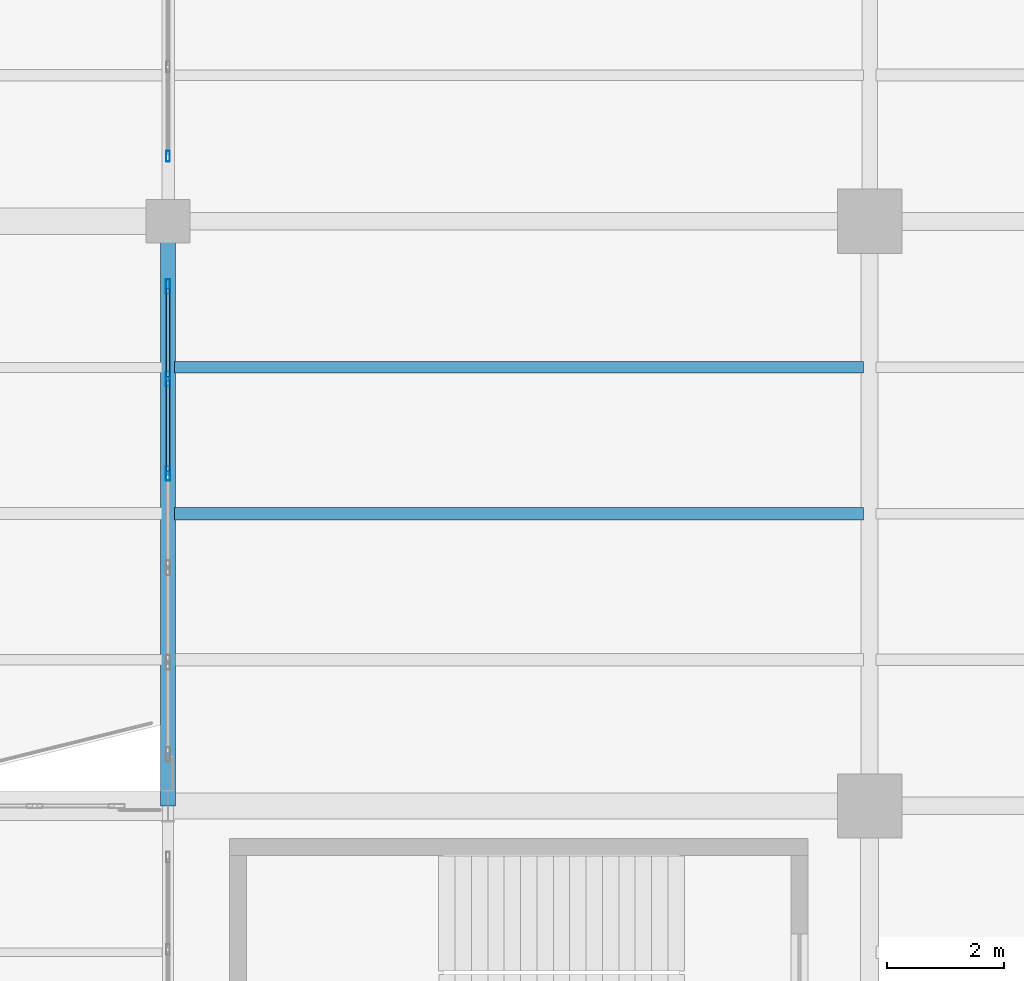
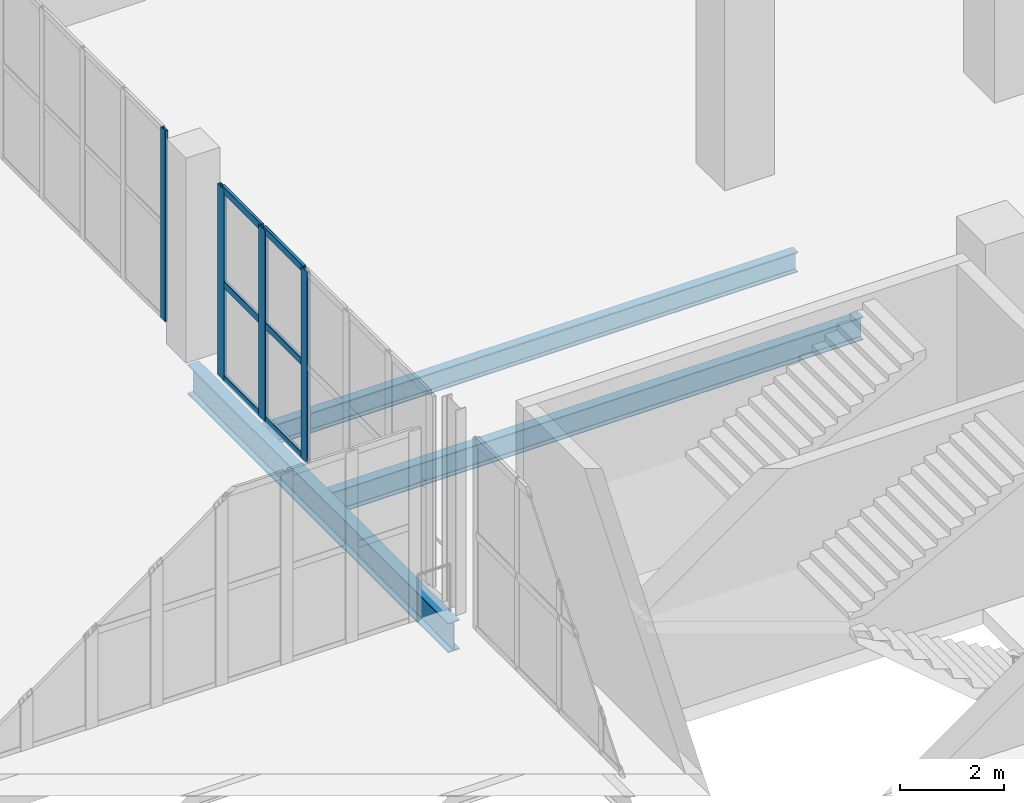
# One storey, part 36 of 136: 10 members, 3 beams, 2 elements without a shape of their own.
"""IFC4 building model written with IfcOpenShell, lengths in metres."""

import ifcopenshell
import ifcopenshell.guid

model = None  # the IFC model being written
_history = None  # IfcOwnerHistory: only IFC2X3 demands one
_inside = {}  # id of a spatial element -> (the spatial element, [elements in it])
_under = {}  # id of a project, library or spatial element -> (it, [spatial elements below it])
_declared = {}  # id of a project -> (the project, [libraries it declares])
_typed = {}  # id of a type object -> (the type object, [elements of that type])
_made_of = {}  # id of a material, layer set ... -> (it, [elements and type objects made of it])


def new_model(schema):
    """Start an empty IFC model of exactly this schema.

    Asked for "IFC4X3", IfcOpenShell would pick the latest addendum, in which some entities
    have other attributes; the version numbers below select the first issue.
    IFC2X3 requires an IfcOwnerHistory on every rooted entity: one is made here for all.
    """
    global model, _history
    if schema == "IFC4X3":
        model = ifcopenshell.file(schema_version=(4, 3, 0, 0))
    else:
        model = ifcopenshell.file(schema=schema)
    _inside.clear()
    _under.clear()
    _declared.clear()
    _typed.clear()
    _made_of.clear()
    _history = None
    if model.schema == "IFC2X3":
        org = make("IfcOrganization", Name="unknown")
        user = make(
            "IfcPersonAndOrganization",
            ThePerson=make("IfcPerson", FamilyName="unknown"),
            TheOrganization=org,
        )
        app = make(
            "IfcApplication",
            ApplicationDeveloper=org,
            Version="unknown",
            ApplicationFullName="unknown",
            ApplicationIdentifier="unknown",
        )
        _history = make(
            "IfcOwnerHistory",
            OwningUser=user,
            OwningApplication=app,
            ChangeAction="ADDED",
            CreationDate=0,
        )
    return model


def make(cls, **values):
    """One entity of the class cls with the attributes given. An attribute that is None is left unset."""
    return model.create_entity(
        cls, **{name: value for name, value in values.items() if value is not None}
    )


def rooted(cls, **values):
    """An entity with a GlobalId (a new one), such as an element, a storey or a relation."""
    return make(cls, GlobalId=ifcopenshell.guid.new(), OwnerHistory=_history, **values)


def si_unit(unit_type, name, prefix=None):
    """IfcSIUnit, for example si_unit("LENGTHUNIT", "METRE", prefix="MILLI")."""
    return make("IfcSIUnit", UnitType=unit_type, Prefix=prefix, Name=name)


def assignment(units):
    """IfcUnitAssignment: the units of a project."""
    return None if units is None else make("IfcUnitAssignment", Units=units)


def point(xyz):
    """IfcCartesianPoint."""
    return None if xyz is None else make("IfcCartesianPoint", Coordinates=xyz)


def direction(xyz):
    """IfcDirection."""
    return None if xyz is None else make("IfcDirection", DirectionRatios=xyz)


def frame(location, z_axis=None, x_axis=None):
    """IfcAxis2Placement3D, a coordinate frame: its origin and axes. An axis left out is left unset."""
    return make(
        "IfcAxis2Placement3D",
        Location=point(location),
        Axis=direction(z_axis),
        RefDirection=direction(x_axis),
    )


def frame_2d(location, x_axis=None):
    """IfcAxis2Placement2D, a coordinate frame in the plane: its origin and x axis."""
    return make(
        "IfcAxis2Placement2D", Location=point(location), RefDirection=direction(x_axis)
    )


def origin():
    """The frame at (0, 0, 0) with its axes left unset."""
    return frame((0.0, 0.0, 0.0))


def origin_2d():
    """The frame at (0, 0) in the plane with its x axis left unset."""
    return frame_2d((0.0, 0.0))


def place(relative_to, where):
    """IfcLocalPlacement: puts the frame where relative to a parent placement (None: the world)."""
    return make(
        "IfcLocalPlacement", PlacementRelTo=relative_to, RelativePlacement=where
    )


def context(
    kind, dimensions, precision=None, world=None, true_north=None, identifier=None
):
    """IfcGeometricRepresentationContext, for example the 3D "Model" context."""
    return make(
        "IfcGeometricRepresentationContext",
        ContextIdentifier=identifier,
        ContextType=kind,
        CoordinateSpaceDimension=dimensions,
        Precision=precision,
        WorldCoordinateSystem=world,
        TrueNorth=true_north,
    )


def subcontext(parent, identifier, kind, view, scale=None):
    """IfcGeometricRepresentationSubContext, for example "Body" below "Model"."""
    return make(
        "IfcGeometricRepresentationSubContext",
        ContextIdentifier=identifier,
        ContextType=kind,
        ParentContext=parent,
        TargetScale=scale,
        TargetView=view,
    )


def project(units=None, contexts=None):
    """IfcProject with its units and contexts."""
    return rooted(
        "IfcProject",
        Name="project",
        RepresentationContexts=contexts,
        UnitsInContext=assignment(units),
    )


def spatial(cls, under=None, at=None, **own):
    """A site, building, storey or space (cls), placed at a placement, below another one or the project."""
    s = rooted(cls, ObjectPlacement=at, **own)
    if under is not None:
        _under.setdefault(under.id(), (under, []))[1].append(s)
    return s


def profile(cls, at=None, kind="AREA", **sizes):
    """A parametric profile (cls). Its sizes go by their IFC names, for example OverallWidth=200.0."""
    return make(cls, ProfileType=kind, Position=at, **sizes)


def hollow_rectangle(**sizes):
    """IfcRectangleHollowProfileDef."""
    return profile("IfcRectangleHollowProfileDef", **sizes)


def i_section(**sizes):
    """IfcIShapeProfileDef."""
    return profile("IfcIShapeProfileDef", **sizes)


def extrude(swept, where, along, depth):
    """IfcExtrudedAreaSolid: the profile swept, set in the frame where, extruded along a direction by depth."""
    return make(
        "IfcExtrudedAreaSolid",
        SweptArea=swept,
        Position=where,
        ExtrudedDirection=direction(along),
        Depth=depth,
    )


def shape(context_of_items, identifier, shape_type, items):
    """IfcShapeRepresentation: the items that make up one representation, for example the "Body"."""
    return make(
        "IfcShapeRepresentation",
        ContextOfItems=context_of_items,
        RepresentationIdentifier=identifier,
        RepresentationType=shape_type,
        Items=items,
    )


def material(Name=None, Category=None):
    """IfcMaterial."""
    return make("IfcMaterial", Name=Name, Category=Category)


def layer(
    of_material, thickness, ventilated=None, Name=None, Category=None, Priority=None
):
    """IfcMaterialLayer: one layer of a wall or slab, of a material (None: an air gap)."""
    return make(
        "IfcMaterialLayer",
        Material=of_material,
        LayerThickness=thickness,
        IsVentilated=ventilated,
        Name=Name,
        Category=Category,
        Priority=Priority,
    )


def layer_set(layers, Name=None):
    """IfcMaterialLayerSet."""
    return make("IfcMaterialLayerSet", MaterialLayers=layers, LayerSetName=Name)


def material_profile(
    of_material, cross_section, Name=None, Category=None, Priority=None
):
    """IfcMaterialProfile: a cross section and its material."""
    return make(
        "IfcMaterialProfile",
        Name=Name,
        Material=of_material,
        Profile=cross_section,
        Priority=Priority,
        Category=Category,
    )


def profile_set(profiles, Name=None, composite=None):
    """IfcMaterialProfileSet."""
    return make(
        "IfcMaterialProfileSet",
        Name=Name,
        MaterialProfiles=profiles,
        CompositeProfile=composite,
    )


def made_of(thing, what):
    """Note that an element or type object is made of a material, layer set ...; save() writes the relation."""
    if what is not None:
        _made_of.setdefault(what.id(), (what, []))[1].append(thing)
    return thing


def type_object(cls, material=None, **own):
    """A type object (cls), such as IfcWallType, which elements share."""
    return made_of(rooted(cls, **own), material)


def element(
    cls,
    number,
    at=None,
    inside=None,
    cuts=None,
    type_object=None,
    material=None,
    context=None,
    identifier="Body",
    shape_type=None,
    held_by="IfcProductDefinitionShape",
    body=None,
    shapes=None,
    **own,
):
    """One element of the class cls, such as IfcWall. Its Tag is "e" and its number.

    at: its placement. inside: the storey or other place that contains it. cuts: it is an
    opening in that element (IfcRelVoidsElement). A single representation is given by context,
    identifier, shape_type and body (its items); several are given by shapes. held_by: the class
    of the entity that holds the representations. save() writes the other relations.
    """
    e = rooted(cls, Tag="e%d" % number, ObjectPlacement=at, **own)
    if body is not None:
        shapes = [shape(context, identifier, shape_type, body)]
    if shapes is not None:
        e.Representation = make(held_by, Representations=shapes)
    if inside is not None:
        _inside.setdefault(inside.id(), (inside, []))[1].append(e)
    if cuts is not None:
        rooted(
            "IfcRelVoidsElement", RelatingBuildingElement=cuts, RelatedOpeningElement=e
        )
    if type_object is not None:
        _typed.setdefault(type_object.id(), (type_object, []))[1].append(e)
    return made_of(e, material)


def aggregate(whole, parts):
    """IfcRelAggregates: a whole, such as a stair, and the parts it consists of."""
    return rooted("IfcRelAggregates", RelatingObject=whole, RelatedObjects=parts)


def save(model, path):
    """Write the relations noted so far, then the file.

    IfcRelAggregates (storeys below a building ...), IfcRelContainedInSpatialStructure (elements
    in a storey), IfcRelDefinesByType, IfcRelAssociatesMaterial and IfcRelDeclares: one each for
    every whole, place, type object, material and project.
    """
    for whole, parts in _under.values():
        aggregate(whole, parts)
    for where, things in _inside.values():
        rooted(
            "IfcRelContainedInSpatialStructure",
            RelatedElements=things,
            RelatingStructure=where,
        )
    for kind, things in _typed.values():
        rooted("IfcRelDefinesByType", RelatedObjects=things, RelatingType=kind)
    for what, things in _made_of.values():
        rooted("IfcRelAssociatesMaterial", RelatedObjects=things, RelatingMaterial=what)
    for by, libraries in _declared.values():
        rooted("IfcRelDeclares", RelatingContext=by, RelatedDefinitions=libraries)
    model.write(path)


model = new_model("IFC4")

# Units and contexts
model_context = context("Model", 3, precision=1e-05, world=origin(), true_north=direction((0.0, 1.0)))
body_context = subcontext(model_context, "Body", "Model", "MODEL_VIEW")
ifc_project = project(units=[si_unit("LENGTHUNIT", "METRE"), si_unit("AREAUNIT", "SQUARE_METRE"), si_unit("VOLUMEUNIT", "CUBIC_METRE"), si_unit("PLANEANGLEUNIT", "RADIAN"), si_unit("MASSUNIT", "GRAM", prefix="KILO")], contexts=[model_context])

# Site, building, storey
site_placement = place(None, origin())
site = spatial("IfcSite", under=ifc_project, at=site_placement, CompositionType="ELEMENT")
building_placement = place(site_placement, origin())
building = spatial("IfcBuilding", under=site, at=building_placement, Name="Brinegate Civic Arena", CompositionType="ELEMENT")
storey_placement = place(building_placement, frame((0.0, 0.0, 5.39990234375)))
storey = spatial("IfcBuildingStorey", under=building, at=storey_placement, Name="L01", CompositionType="ELEMENT", Elevation=5.39990234375)

# Curtain wall, member
ifc_material_1 = material(Name="Marine grade aluminium", Category="aluminium")
ifc_layer = layer(ifc_material_1, 0.199951171875, Name="Marine grade aluminium")
ifc_layer_set = layer_set([ifc_layer], Name="Marine grade aluminium")
curtain_wall_type = type_object("IfcCurtainWallType", Name="CW-BOWL-GLAZED-01", PredefinedType="USERDEFINED", material=ifc_layer_set)
curtain_wall_1_placement = place(storey_placement, origin())
curtain_wall_1 = element("IfcCurtainWall", 1, at=curtain_wall_1_placement, inside=storey, type_object=curtain_wall_type, Name="Curtain Wall CWA-054", ObjectType="GLAZED CURTAIN WALL", PredefinedType="USERDEFINED")
ifc_material_profile_1 = material_profile(ifc_material_1, hollow_rectangle(XDim=0.06494140625, YDim=0.179931640625, WallThickness=0.0048828125, InnerFilletRadius=0.00390625, OuterFilletRadius=0.008056640625, at=origin_2d()), Name="MUL65X180")
ifc_profile_set_1 = profile_set([ifc_material_profile_1], Name="Marine grade aluminium")
member_type_1 = type_object("IfcMemberType", Name="CW-MULLION-65X180", PredefinedType="MULLION", material=ifc_profile_set_1)
member_1_placement = place(storey_placement, frame((48.0, 63.112548828125, 0.0), z_axis=(0.0, 0.0, 1.0), x_axis=(-1.0, 0.0, 0.0)))
member_1 = element("IfcMember", 2, at=member_1_placement, type_object=member_type_1, Name="CWA-054 mullion 1", PredefinedType="MULLION", context=body_context, shape_type="SweptSolid", body=[
    extrude(hollow_rectangle(XDim=0.06494140625, YDim=0.179931640625, WallThickness=0.0048828125, InnerFilletRadius=0.00390625, OuterFilletRadius=0.008056640625, at=origin_2d()), origin(), (0.0, 0.0, 1.0), 4.47021484375),
])
aggregate(curtain_wall_1, [member_1])

# Curtain wall, members
curtain_wall_2_placement = place(storey_placement, origin())
curtain_wall_2 = element("IfcCurtainWall", 3, at=curtain_wall_2_placement, inside=storey, type_object=curtain_wall_type, Name="Curtain Wall CWA-052", ObjectType="GLAZED CURTAIN WALL", PredefinedType="USERDEFINED")
ifc_material_profile_2 = material_profile(ifc_material_1, hollow_rectangle(XDim=0.074951171875, YDim=0.25, WallThickness=0.006103515625, InnerFilletRadius=0.00390625, OuterFilletRadius=0.008056640625, at=origin_2d()), Name="MUL75X250")
ifc_profile_set_2 = profile_set([ifc_material_profile_2], Name="Marine grade aluminium")
member_type_2 = type_object("IfcMemberType", Name="CW-MULLION-75X250", PredefinedType="MULLION", material=ifc_profile_set_2)
member_2_placement = place(storey_placement, frame((48.0, 57.688720703125, 0.0), z_axis=(0.0, 0.0, 1.0), x_axis=(-1.0, 0.0, 0.0)))
member_2 = element("IfcMember", 4, at=member_2_placement, type_object=member_type_2, Name="CWA-052 mullion 4", PredefinedType="MULLION", context=body_context, shape_type="SweptSolid", body=[
    extrude(hollow_rectangle(XDim=0.074951171875, YDim=0.25, WallThickness=0.006103515625, InnerFilletRadius=0.00390625, OuterFilletRadius=0.008056640625, at=origin_2d()), origin(), (0.0, 0.0, 1.0), 4.47021484375),
])
member_3_placement = place(storey_placement, frame((48.0, 59.304443359375, 0.0), z_axis=(0.0, 0.0, 1.0), x_axis=(-1.0, 0.0, 0.0)))
member_3 = element("IfcMember", 5, at=member_3_placement, type_object=member_type_2, Name="CWA-052 mullion 5", PredefinedType="MULLION", context=body_context, shape_type="SweptSolid", body=[
    extrude(hollow_rectangle(XDim=0.074951171875, YDim=0.25, WallThickness=0.006103515625, InnerFilletRadius=0.00390625, OuterFilletRadius=0.008056640625, at=origin_2d()), origin(), (0.0, 0.0, 1.0), 4.47021484375),
])
member_4_placement = place(storey_placement, frame((48.0, 60.882568359375, 0.0), z_axis=(0.0, 0.0, 1.0), x_axis=(-1.0, 0.0, 0.0)))
member_4 = element("IfcMember", 6, at=member_4_placement, type_object=member_type_2, Name="CWA-052 mullion 6", PredefinedType="MULLION", context=body_context, shape_type="SweptSolid", body=[
    extrude(hollow_rectangle(XDim=0.074951171875, YDim=0.25, WallThickness=0.006103515625, InnerFilletRadius=0.00390625, OuterFilletRadius=0.008056640625, at=origin_2d()), origin(), (0.0, 0.0, 1.0), 4.47021484375),
])
ifc_material_profile_3 = material_profile(ifc_material_1, hollow_rectangle(XDim=0.06494140625, YDim=0.1650390625, WallThickness=0.0048828125, InnerFilletRadius=0.00390625, OuterFilletRadius=0.008056640625, at=origin_2d()), Name="TRN65X165")
ifc_profile_set_3 = profile_set([ifc_material_profile_3], Name="Marine grade aluminium")
member_type_3 = type_object("IfcMemberType", Name="CW-TRANSOM-65X165", PredefinedType="USERDEFINED", material=ifc_profile_set_3)
member_5_placement = place(storey_placement, frame((48.0, 57.726318359375, 0.03271484375), z_axis=(0.0, 1.0, 0.0), x_axis=(-1.0, 0.0, 0.0)))
member_5 = element("IfcMember", 7, at=member_5_placement, type_object=member_type_3, Name="CWA-052 transom 4.1", ObjectType="TRANSOM", PredefinedType="USERDEFINED", context=body_context, shape_type="SweptSolid", body=[
    extrude(hollow_rectangle(XDim=0.06494140625, YDim=0.1650390625, WallThickness=0.0048828125, InnerFilletRadius=0.00390625, OuterFilletRadius=0.008056640625, at=origin_2d()), origin(), (0.0, 0.0, 1.0), 1.54052734375),
])
member_6_placement = place(storey_placement, frame((48.0, 57.726318359375, 2.235107421875), z_axis=(0.0, 1.0, 0.0), x_axis=(-1.0, 0.0, 0.0)))
member_6 = element("IfcMember", 8, at=member_6_placement, type_object=member_type_3, Name="CWA-052 transom 4.2", ObjectType="TRANSOM", PredefinedType="USERDEFINED", context=body_context, shape_type="SweptSolid", body=[
    extrude(hollow_rectangle(XDim=0.06494140625, YDim=0.1650390625, WallThickness=0.0048828125, InnerFilletRadius=0.00390625, OuterFilletRadius=0.008056640625, at=origin_2d()), origin(), (0.0, 0.0, 1.0), 1.54052734375),
])
member_7_placement = place(storey_placement, frame((48.0, 57.726318359375, 4.4375), z_axis=(0.0, 1.0, 0.0), x_axis=(-1.0, 0.0, 0.0)))
member_7 = element("IfcMember", 9, at=member_7_placement, type_object=member_type_3, Name="CWA-052 transom 4.3", ObjectType="TRANSOM", PredefinedType="USERDEFINED", context=body_context, shape_type="SweptSolid", body=[
    extrude(hollow_rectangle(XDim=0.06494140625, YDim=0.1650390625, WallThickness=0.0048828125, InnerFilletRadius=0.00390625, OuterFilletRadius=0.008056640625, at=origin_2d()), origin(), (0.0, 0.0, 1.0), 1.54052734375),
])
member_8_placement = place(storey_placement, frame((48.0, 59.341796875, 0.03271484375), z_axis=(0.0, 1.0, 0.0), x_axis=(-1.0, 0.0, 0.0)))
member_8 = element("IfcMember", 10, at=member_8_placement, type_object=member_type_3, Name="CWA-052 transom 5.1", ObjectType="TRANSOM", PredefinedType="USERDEFINED", context=body_context, shape_type="SweptSolid", body=[
    extrude(hollow_rectangle(XDim=0.06494140625, YDim=0.1650390625, WallThickness=0.0048828125, InnerFilletRadius=0.00390625, OuterFilletRadius=0.008056640625, at=origin_2d()), origin(), (0.0, 0.0, 1.0), 1.503173828125),
])
member_9_placement = place(storey_placement, frame((48.0, 59.341796875, 2.235107421875), z_axis=(0.0, 1.0, 0.0), x_axis=(-1.0, 0.0, 0.0)))
member_9 = element("IfcMember", 11, at=member_9_placement, type_object=member_type_3, Name="CWA-052 transom 5.2", ObjectType="TRANSOM", PredefinedType="USERDEFINED", context=body_context, shape_type="SweptSolid", body=[
    extrude(hollow_rectangle(XDim=0.06494140625, YDim=0.1650390625, WallThickness=0.0048828125, InnerFilletRadius=0.00390625, OuterFilletRadius=0.008056640625, at=origin_2d()), origin(), (0.0, 0.0, 1.0), 1.503173828125),
])
member_10_placement = place(storey_placement, frame((48.0, 59.341796875, 4.4375), z_axis=(0.0, 1.0, 0.0), x_axis=(-1.0, 0.0, 0.0)))
member_10 = element("IfcMember", 12, at=member_10_placement, type_object=member_type_3, Name="CWA-052 transom 5.3", ObjectType="TRANSOM", PredefinedType="USERDEFINED", context=body_context, shape_type="SweptSolid", body=[
    extrude(hollow_rectangle(XDim=0.06494140625, YDim=0.1650390625, WallThickness=0.0048828125, InnerFilletRadius=0.00390625, OuterFilletRadius=0.008056640625, at=origin_2d()), origin(), (0.0, 0.0, 1.0), 1.503173828125),
])
aggregate(curtain_wall_2, [member_2, member_3, member_4, member_5, member_6, member_7, member_8, member_9, member_10])

# Beams
ifc_material_2 = material(Name="Steel S355", Category="steel")
ifc_material_profile_4 = material_profile(ifc_material_2, i_section(OverallWidth=0.195068359375, OverallDepth=0.472900390625, WebThickness=0.011962890625, FlangeThickness=0.02197265625, FilletRadius=0.014892578125, at=origin_2d()), Name="W460X113")
ifc_profile_set_4 = profile_set([ifc_material_profile_4], Name="Steel S355")
beam_type_1 = type_object("IfcBeamType", Name="JOIST-W460X113", PredefinedType="JOIST", material=ifc_profile_set_4)
beam_1_placement = place(storey_placement, frame((48.10595703125, 59.5, -0.575927734375), z_axis=(1.0, 0.0, 0.0), x_axis=(0.0, 1.0, 0.0)))
element("IfcBeam", 13, at=beam_1_placement, inside=storey, type_object=beam_type_1, Name="Secondary Joist BM-L01-JX-04-05-3", PredefinedType="JOIST", context=body_context, shape_type="SweptSolid", body=[
    extrude(i_section(OverallWidth=0.195068359375, OverallDepth=0.472900390625, WebThickness=0.011962890625, FlangeThickness=0.02197265625, FilletRadius=0.014892578125, at=origin_2d()), origin(), (0.0, 0.0, 1.0), 11.7880859375),
])
ifc_material_profile_5 = material_profile(ifc_material_2, i_section(OverallWidth=0.2109375, OverallDepth=0.5390625, WebThickness=0.011962890625, FlangeThickness=0.01904296875, FilletRadius=0.01611328125, at=origin_2d()), Name="W530X109")
ifc_profile_set_5 = profile_set([ifc_material_profile_5], Name="Steel S355")
beam_type_2 = type_object("IfcBeamType", Name="JOIST-W530X109", PredefinedType="JOIST", material=ifc_profile_set_5)
beam_2_placement = place(storey_placement, frame((48.10595703125, 57.0, -0.60888671875), z_axis=(1.0, 0.0, 0.0), x_axis=(0.0, 1.0, 0.0)))
element("IfcBeam", 14, at=beam_2_placement, inside=storey, type_object=beam_type_2, Name="Secondary Joist BM-L01-JX-04-05-2", PredefinedType="JOIST", context=body_context, shape_type="SweptSolid", body=[
    extrude(i_section(OverallWidth=0.2109375, OverallDepth=0.5390625, WebThickness=0.011962890625, FlangeThickness=0.01904296875, FilletRadius=0.01611328125, at=origin_2d()), origin(), (0.0, 0.0, 1.0), 11.7880859375),
])
ifc_material_profile_6 = material_profile(ifc_material_2, i_section(OverallWidth=0.256103515625, OverallDepth=0.693115234375, WebThickness=0.014892578125, FlangeThickness=0.02392578125, FilletRadius=0.01806640625, at=origin_2d()), Name="W690X170")
ifc_profile_set_6 = profile_set([ifc_material_profile_6], Name="Steel S355")
beam_type_3 = type_object("IfcBeamType", Name="SPANDREL-W690X170", PredefinedType="SPANDREL", material=ifc_profile_set_6)
beam_3_placement = place(storey_placement, frame((48.0, 52.0, -0.685791015625), z_axis=(0.0, 1.0, 0.0), x_axis=(-1.0, 0.0, 0.0)))
element("IfcBeam", 15, at=beam_3_placement, inside=storey, type_object=beam_type_3, Name="Floor Girder BM-L01-GY-04-05", PredefinedType="SPANDREL", context=body_context, shape_type="SweptSolid", body=[
    extrude(i_section(OverallWidth=0.256103515625, OverallDepth=0.693115234375, WebThickness=0.014892578125, FlangeThickness=0.02392578125, FilletRadius=0.01806640625, at=origin_2d()), origin(), (0.0, 0.0, 1.0), 10.0),
])

save(model, "model.ifc")
